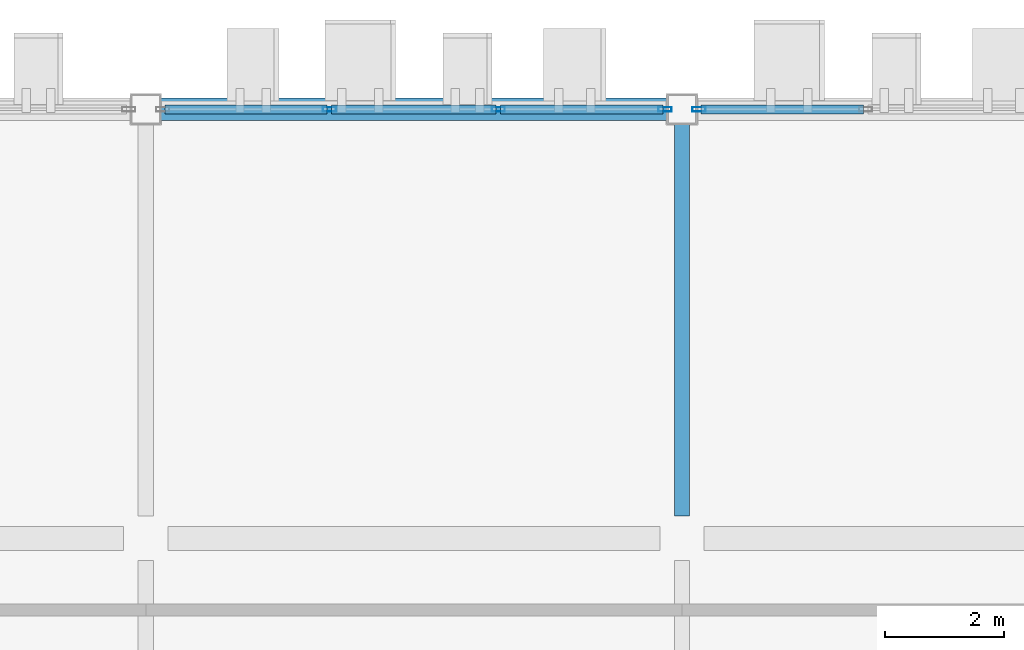
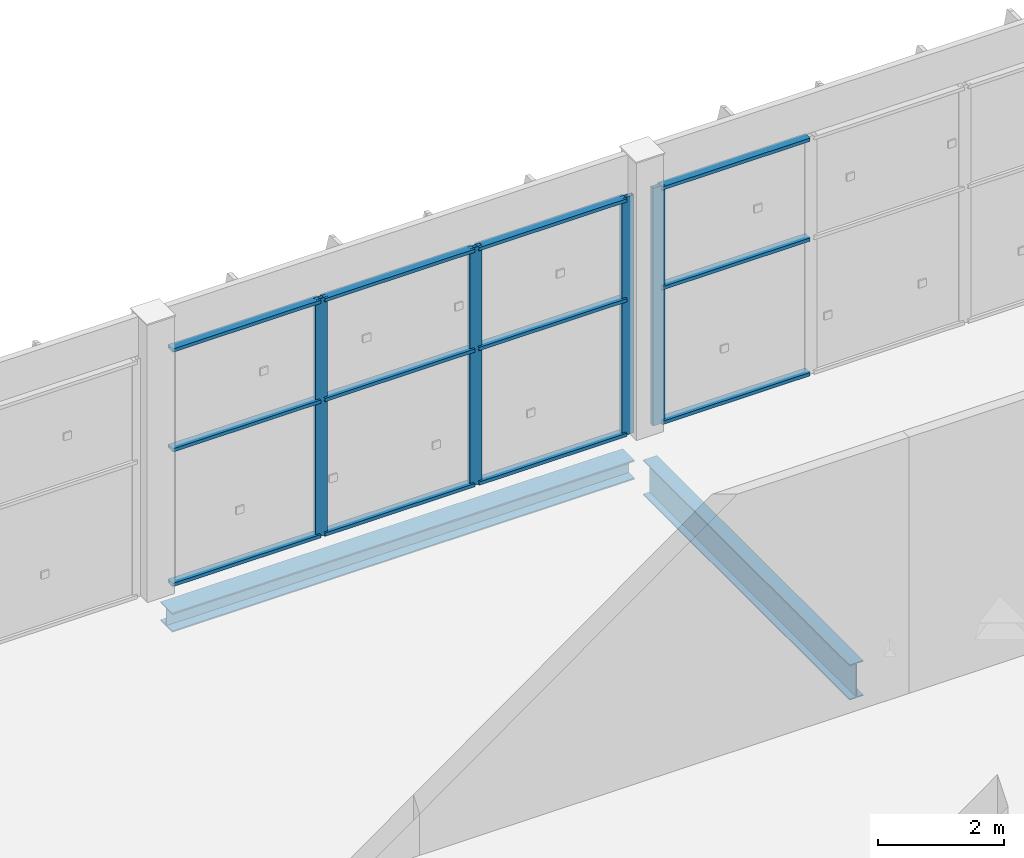
# One storey, part 105 of 189: 16 members, 2 beams, 2 elements without a shape of their own.
"""IFC4 building model written with IfcOpenShell, lengths in metres."""

from ifc_helpers import new_model, si_unit, direction, frame, origin, origin_2d, place, context, subcontext, project, spatial, hollow_rectangle, i_section, extrude, material, layer, layer_set, material_profile, profile_set, type_object, element, aggregate, save


model = new_model("IFC4")

# Units and contexts
model_context = context("Model", 3, precision=1e-05, world=origin(), true_north=direction((0.0, 1.0)))
body_context = subcontext(model_context, "Body", "Model", "MODEL_VIEW")
ifc_project = project(units=[si_unit("LENGTHUNIT", "METRE"), si_unit("AREAUNIT", "SQUARE_METRE"), si_unit("VOLUMEUNIT", "CUBIC_METRE"), si_unit("PLANEANGLEUNIT", "RADIAN"), si_unit("MASSUNIT", "GRAM", prefix="KILO")], contexts=[model_context])

# Site, building, storey
site_placement = place(None, origin())
site = spatial("IfcSite", under=ifc_project, at=site_placement, CompositionType="ELEMENT")
building_placement = place(site_placement, origin())
building = spatial("IfcBuilding", under=site, at=building_placement, Name="Celestram Park Convention Centre", CompositionType="ELEMENT")
storey_placement = place(building_placement, frame((0.0, 0.0, 5.39990234375)))
storey = spatial("IfcBuildingStorey", under=building, at=storey_placement, Name="L01", CompositionType="ELEMENT", Elevation=5.39990234375)

# Curtain wall, members
ifc_material_1 = material(Name="Anodised Aluminium Alloy 6063-T6", Category="aluminium")
ifc_layer = layer(ifc_material_1, 0.179931640625)
ifc_layer_set = layer_set([ifc_layer], Name="Anodised Aluminium Alloy 6063-T6")
curtain_wall_type = type_object("IfcCurtainWallType", Name="ARC-CW-850X462", PredefinedType="NOTDEFINED", material=ifc_layer_set)
curtain_wall_1_placement = place(storey_placement, origin())
curtain_wall_1 = element("IfcCurtainWall", 1, at=curtain_wall_1_placement, inside=storey, type_object=curtain_wall_type, Name="Unitised curtain wall CU-L01-071", PredefinedType="NOTDEFINED")
ifc_material_profile_1 = material_profile(ifc_material_1, hollow_rectangle(XDim=0.074951171875, YDim=0.219970703125, WallThickness=0.00390625, at=origin_2d()), Name="ALU75X220X4")
ifc_profile_set_1 = profile_set([ifc_material_profile_1], Name="Anodised Aluminium Alloy 6063-T6")
member_type_1 = type_object("IfcMemberType", Name="ARC-CWM-180", PredefinedType="MULLION", material=ifc_profile_set_1)
member_1_placement = place(storey_placement, frame((183.082763671875, 165.60009765625, 0.0), z_axis=(0.0, 0.0, 1.0), x_axis=(0.0, 1.0, 0.0)))
member_1 = element("IfcMember", 2, at=member_1_placement, type_object=member_type_1, Name="CW-85X46 mullion 2", PredefinedType="MULLION", context=body_context, shape_type="SweptSolid", body=[
    extrude(hollow_rectangle(XDim=0.074951171875, YDim=0.219970703125, WallThickness=0.00390625, at=origin_2d()), origin(), (0.0, 0.0, 1.0), 4.6240234375),
])
member_2_placement = place(storey_placement, frame((185.917236328125, 165.60009765625, 0.0), z_axis=(0.0, 0.0, 1.0), x_axis=(0.0, 1.0, 0.0)))
member_2 = element("IfcMember", 3, at=member_2_placement, type_object=member_type_1, Name="CW-85X46 mullion 3", PredefinedType="MULLION", context=body_context, shape_type="SweptSolid", body=[
    extrude(hollow_rectangle(XDim=0.074951171875, YDim=0.219970703125, WallThickness=0.00390625, at=origin_2d()), origin(), (0.0, 0.0, 1.0), 4.6240234375),
])
member_3_placement = place(storey_placement, frame((188.714599609375, 165.60009765625, 0.0), z_axis=(0.0, 0.0, 1.0), x_axis=(0.0, 1.0, 0.0)))
member_3 = element("IfcMember", 4, at=member_3_placement, type_object=member_type_1, Name="CW-85X46 mullion 4", PredefinedType="MULLION", context=body_context, shape_type="SweptSolid", body=[
    extrude(hollow_rectangle(XDim=0.074951171875, YDim=0.219970703125, WallThickness=0.00390625, at=origin_2d()), origin(), (0.0, 0.0, 1.0), 4.6240234375),
])

# Curtain wall, member
curtain_wall_2_placement = place(storey_placement, origin())
curtain_wall_2 = element("IfcCurtainWall", 5, at=curtain_wall_2_placement, inside=storey, type_object=curtain_wall_type, Name="Unitised curtain wall CU-L01-072", PredefinedType="NOTDEFINED")
member_4_placement = place(storey_placement, frame((189.285400390625, 165.60009765625, 0.0), z_axis=(0.0, 0.0, 1.0), x_axis=(0.0, 1.0, 0.0)))
member_4 = element("IfcMember", 6, at=member_4_placement, type_object=member_type_1, Name="CW-85X46 mullion 1", PredefinedType="MULLION", context=body_context, shape_type="SweptSolid", body=[
    extrude(hollow_rectangle(XDim=0.074951171875, YDim=0.219970703125, WallThickness=0.00390625, at=origin_2d()), origin(), (0.0, 0.0, 1.0), 4.6240234375),
])

# Member
ifc_material_profile_2 = material_profile(ifc_material_1, hollow_rectangle(XDim=0.14990234375, YDim=0.06494140625, WallThickness=0.0029296875, at=origin_2d()), Name="ALU150X65X3")
ifc_profile_set_2 = profile_set([ifc_material_profile_2], Name="Anodised Aluminium Alloy 6063-T6")
member_type_2 = type_object("IfcMemberType", Name="ARC-CWT-150", PredefinedType="USERDEFINED", material=ifc_profile_set_2)
member_5_placement = place(storey_placement, frame((180.322998046875, 165.60009765625, 0.03271484375), z_axis=(1.0, 0.0, 0.0), x_axis=(0.0, 1.0, 0.0)))
member_5 = element("IfcMember", 7, at=member_5_placement, type_object=member_type_2, Name="CW-85X46 transom 1.1", ObjectType="TRANSOM", PredefinedType="USERDEFINED", context=body_context, shape_type="SweptSolid", body=[
    extrude(hollow_rectangle(XDim=0.14990234375, YDim=0.06494140625, WallThickness=0.0029296875, at=origin_2d()), origin(), (0.0, 0.0, 1.0), 2.72216796875),
])

member_6_placement = place(storey_placement, frame((180.322998046875, 165.60009765625, 2.650146484375), z_axis=(1.0, 0.0, 0.0), x_axis=(0.0, 1.0, 0.0)))
member_6 = element("IfcMember", 8, at=member_6_placement, type_object=member_type_2, Name="CW-85X46 transom 1.2", ObjectType="TRANSOM", PredefinedType="USERDEFINED", context=body_context, shape_type="SweptSolid", body=[
    extrude(hollow_rectangle(XDim=0.14990234375, YDim=0.06494140625, WallThickness=0.0029296875, at=origin_2d()), origin(), (0.0, 0.0, 1.0), 2.72216796875),
])

member_7_placement = place(storey_placement, frame((180.322998046875, 165.60009765625, 4.591552734375), z_axis=(1.0, 0.0, 0.0), x_axis=(0.0, 1.0, 0.0)))
member_7 = element("IfcMember", 9, at=member_7_placement, type_object=member_type_2, Name="CW-85X46 transom 1.3", ObjectType="TRANSOM", PredefinedType="USERDEFINED", context=body_context, shape_type="SweptSolid", body=[
    extrude(hollow_rectangle(XDim=0.14990234375, YDim=0.06494140625, WallThickness=0.0029296875, at=origin_2d()), origin(), (0.0, 0.0, 1.0), 2.72216796875),
])

member_8_placement = place(storey_placement, frame((183.1201171875, 165.60009765625, 0.03271484375), z_axis=(1.0, 0.0, 0.0), x_axis=(0.0, 1.0, 0.0)))
member_8 = element("IfcMember", 10, at=member_8_placement, type_object=member_type_2, Name="CW-85X46 transom 2.1", ObjectType="TRANSOM", PredefinedType="USERDEFINED", context=body_context, shape_type="SweptSolid", body=[
    extrude(hollow_rectangle(XDim=0.14990234375, YDim=0.06494140625, WallThickness=0.0029296875, at=origin_2d()), origin(), (0.0, 0.0, 1.0), 2.759765625),
])

member_9_placement = place(storey_placement, frame((183.1201171875, 165.60009765625, 2.650146484375), z_axis=(1.0, 0.0, 0.0), x_axis=(0.0, 1.0, 0.0)))
member_9 = element("IfcMember", 11, at=member_9_placement, type_object=member_type_2, Name="CW-85X46 transom 2.2", ObjectType="TRANSOM", PredefinedType="USERDEFINED", context=body_context, shape_type="SweptSolid", body=[
    extrude(hollow_rectangle(XDim=0.14990234375, YDim=0.06494140625, WallThickness=0.0029296875, at=origin_2d()), origin(), (0.0, 0.0, 1.0), 2.759765625),
])

member_10_placement = place(storey_placement, frame((183.1201171875, 165.60009765625, 4.591552734375), z_axis=(1.0, 0.0, 0.0), x_axis=(0.0, 1.0, 0.0)))
member_10 = element("IfcMember", 12, at=member_10_placement, type_object=member_type_2, Name="CW-85X46 transom 2.3", ObjectType="TRANSOM", PredefinedType="USERDEFINED", context=body_context, shape_type="SweptSolid", body=[
    extrude(hollow_rectangle(XDim=0.14990234375, YDim=0.06494140625, WallThickness=0.0029296875, at=origin_2d()), origin(), (0.0, 0.0, 1.0), 2.759765625),
])

member_11_placement = place(storey_placement, frame((185.954833984375, 165.60009765625, 0.03271484375), z_axis=(1.0, 0.0, 0.0), x_axis=(0.0, 1.0, 0.0)))
member_11 = element("IfcMember", 13, at=member_11_placement, type_object=member_type_2, Name="CW-85X46 transom 3.1", ObjectType="TRANSOM", PredefinedType="USERDEFINED", context=body_context, shape_type="SweptSolid", body=[
    extrude(hollow_rectangle(XDim=0.14990234375, YDim=0.06494140625, WallThickness=0.0029296875, at=origin_2d()), origin(), (0.0, 0.0, 1.0), 2.72216796875),
])

member_12_placement = place(storey_placement, frame((185.954833984375, 165.60009765625, 2.650146484375), z_axis=(1.0, 0.0, 0.0), x_axis=(0.0, 1.0, 0.0)))
member_12 = element("IfcMember", 14, at=member_12_placement, type_object=member_type_2, Name="CW-85X46 transom 3.2", ObjectType="TRANSOM", PredefinedType="USERDEFINED", context=body_context, shape_type="SweptSolid", body=[
    extrude(hollow_rectangle(XDim=0.14990234375, YDim=0.06494140625, WallThickness=0.0029296875, at=origin_2d()), origin(), (0.0, 0.0, 1.0), 2.72216796875),
])

member_13_placement = place(storey_placement, frame((185.954833984375, 165.60009765625, 4.591552734375), z_axis=(1.0, 0.0, 0.0), x_axis=(0.0, 1.0, 0.0)))
member_13 = element("IfcMember", 15, at=member_13_placement, type_object=member_type_2, Name="CW-85X46 transom 3.3", ObjectType="TRANSOM", PredefinedType="USERDEFINED", context=body_context, shape_type="SweptSolid", body=[
    extrude(hollow_rectangle(XDim=0.14990234375, YDim=0.06494140625, WallThickness=0.0029296875, at=origin_2d()), origin(), (0.0, 0.0, 1.0), 2.72216796875),
])

aggregate(curtain_wall_1, [member_1, member_2, member_3, member_5, member_6, member_7, member_8, member_9, member_10, member_11, member_12, member_13])

member_14_placement = place(storey_placement, frame((189.322998046875, 165.60009765625, 0.03271484375), z_axis=(1.0, 0.0, 0.0), x_axis=(0.0, 1.0, 0.0)))
member_14 = element("IfcMember", 16, at=member_14_placement, type_object=member_type_2, Name="CW-85X46 transom 1.1", ObjectType="TRANSOM", PredefinedType="USERDEFINED", context=body_context, shape_type="SweptSolid", body=[
    extrude(hollow_rectangle(XDim=0.14990234375, YDim=0.06494140625, WallThickness=0.0029296875, at=origin_2d()), origin(), (0.0, 0.0, 1.0), 2.72216796875),
])

member_15_placement = place(storey_placement, frame((189.322998046875, 165.60009765625, 2.650146484375), z_axis=(1.0, 0.0, 0.0), x_axis=(0.0, 1.0, 0.0)))
member_15 = element("IfcMember", 17, at=member_15_placement, type_object=member_type_2, Name="CW-85X46 transom 1.2", ObjectType="TRANSOM", PredefinedType="USERDEFINED", context=body_context, shape_type="SweptSolid", body=[
    extrude(hollow_rectangle(XDim=0.14990234375, YDim=0.06494140625, WallThickness=0.0029296875, at=origin_2d()), origin(), (0.0, 0.0, 1.0), 2.72216796875),
])

member_16_placement = place(storey_placement, frame((189.322998046875, 165.60009765625, 4.591552734375), z_axis=(1.0, 0.0, 0.0), x_axis=(0.0, 1.0, 0.0)))
member_16 = element("IfcMember", 18, at=member_16_placement, type_object=member_type_2, Name="CW-85X46 transom 1.3", ObjectType="TRANSOM", PredefinedType="USERDEFINED", context=body_context, shape_type="SweptSolid", body=[
    extrude(hollow_rectangle(XDim=0.14990234375, YDim=0.06494140625, WallThickness=0.0029296875, at=origin_2d()), origin(), (0.0, 0.0, 1.0), 2.72216796875),
])

aggregate(curtain_wall_2, [member_4, member_14, member_15, member_16])

# Beams
ifc_material_2 = material(Name="Steel ASTM A992 Grade 50", Category="steel")
ifc_material_profile_3 = material_profile(ifc_material_2, i_section(OverallWidth=0.25390625, OverallDepth=0.68310546875, WebThickness=0.012451171875, FlangeThickness=0.01904296875, at=origin_2d()), Name="W27X94")
ifc_profile_set_3 = profile_set([ifc_material_profile_3], Name="Steel ASTM A992 Grade 50")
beam_type_1 = type_object("IfcBeamType", Name="STR-BM-W27X94", PredefinedType="BEAM", material=ifc_profile_set_3)
beam_1_placement = place(storey_placement, frame((189.0, 158.77294921875, -0.761474609375), z_axis=(0.0, 1.0, 0.0), x_axis=(-1.0, 0.0, 0.0)))
element("IfcBeam", 19, at=beam_1_placement, inside=storey, type_object=beam_type_1, Name="Primary Y-girder BG-L01-0484", PredefinedType="BEAM", context=body_context, shape_type="SweptSolid", body=[
    extrude(i_section(OverallWidth=0.25390625, OverallDepth=0.68310546875, WebThickness=0.012451171875, FlangeThickness=0.01904296875, at=origin_2d()), origin(), (0.0, 0.0, 1.0), 6.5791015625),
])
ifc_material_profile_4 = material_profile(ifc_material_2, i_section(OverallWidth=0.373046875, OverallDepth=0.373046875, WebThickness=0.016357421875, FlangeThickness=0.026123046875, at=origin_2d()), Name="W14X132")
ifc_profile_set_4 = profile_set([ifc_material_profile_4], Name="Steel ASTM A992 Grade 50")
beam_type_2 = type_object("IfcBeamType", Name="STR-SPN-W14X132", PredefinedType="SPANDREL", material=ifc_profile_set_4)
beam_2_placement = place(storey_placement, frame((180.248046875, 165.60009765625, -0.6064453125), z_axis=(1.0, 0.0, 0.0), x_axis=(0.0, 1.0, 0.0)))
element("IfcBeam", 20, at=beam_2_placement, inside=storey, type_object=beam_type_2, Name="Primary X-girder BG-L01-0459", PredefinedType="SPANDREL", context=body_context, shape_type="SweptSolid", body=[
    extrude(i_section(OverallWidth=0.373046875, OverallDepth=0.373046875, WebThickness=0.016357421875, FlangeThickness=0.026123046875, at=origin_2d()), origin(), (0.0, 0.0, 1.0), 8.50390625),
])

save(model, "model.ifc")
